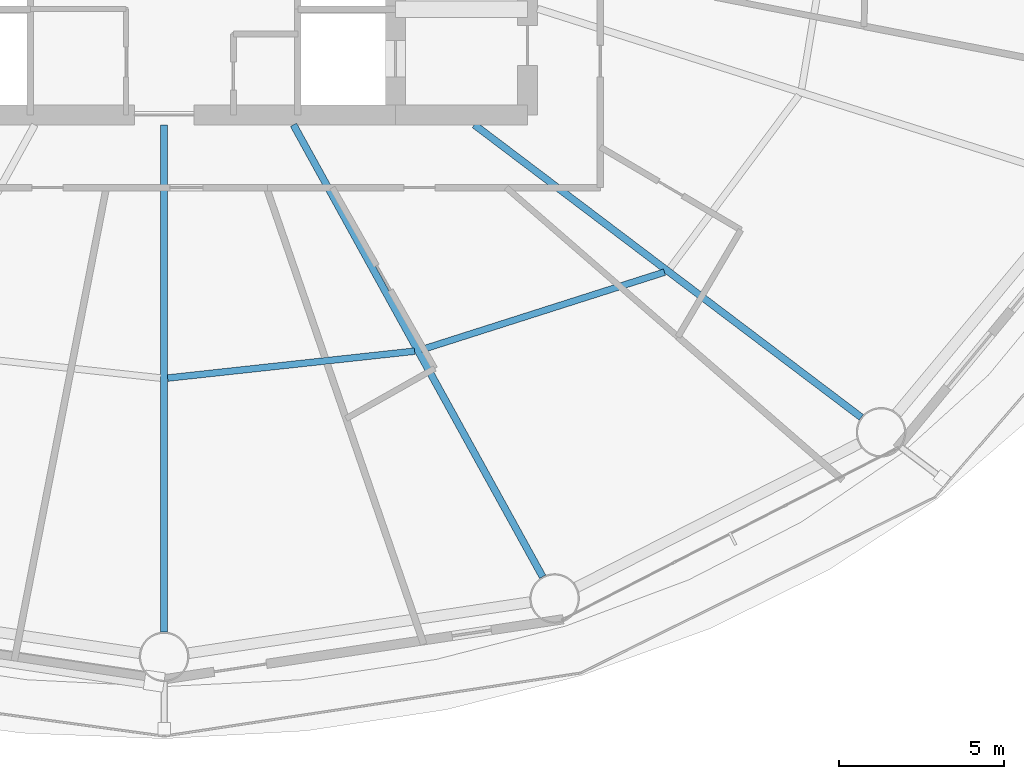
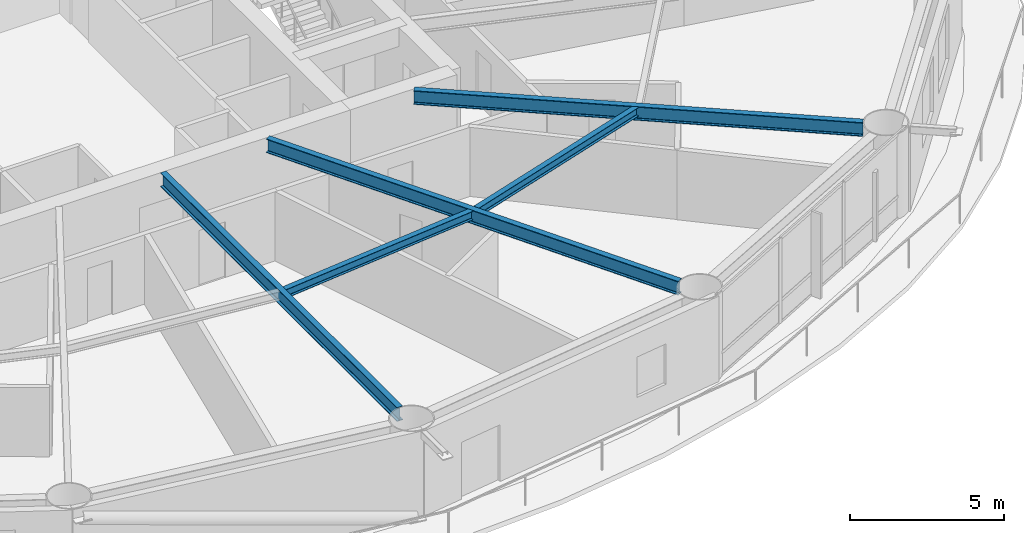
# One storey, part 7 of 26: 5 beams.
"""IFC4 building model written with IfcOpenShell, lengths in metres."""

from ifc_helpers import new_model, si_unit, direction, frame, origin, origin_2d, place, context, subcontext, project, spatial, i_section, extrude, material, material_profile, profile_set, type_object, element, save


model = new_model("IFC4")

# Units and contexts
model_context = context("Model", 3, precision=1e-05, world=origin(), true_north=direction((0.0, 1.0)))
body_context = subcontext(model_context, "Body", "Model", "MODEL_VIEW")
ifc_project = project(units=[si_unit("LENGTHUNIT", "METRE"), si_unit("AREAUNIT", "SQUARE_METRE"), si_unit("VOLUMEUNIT", "CUBIC_METRE"), si_unit("PLANEANGLEUNIT", "RADIAN"), si_unit("MASSUNIT", "GRAM", prefix="KILO")], contexts=[model_context])

# Site, building, storey
site_placement = place(None, origin())
site = spatial("IfcSite", under=ifc_project, at=site_placement, CompositionType="ELEMENT")
building_placement = place(site_placement, origin())
building = spatial("IfcBuilding", under=site, at=building_placement, Name="Sarneth Arch Tower", CompositionType="ELEMENT")
storey_placement = place(building_placement, frame((0.0, 0.0, 71.39990234375)))
storey = spatial("IfcBuildingStorey", under=building, at=storey_placement, Name="L17", CompositionType="ELEMENT", Elevation=71.39990234375)

# Beams
ifc_material_1 = material(Name="Steel S355", Category="steel")
ifc_material_profile_1 = material_profile(ifc_material_1, i_section(OverallWidth=0.202880859375, OverallDepth=0.346923828125, WebThickness=0.0078125, FlangeThickness=0.013427734375, FilletRadius=0.014892578125, at=origin_2d()), Name="W360x64")
ifc_profile_set_1 = profile_set([ifc_material_profile_1], Name="Steel S355")
beam_type_1 = type_object("IfcBeamType", Name="BM-JOIST-360C", PredefinedType="JOIST", material=ifc_profile_set_1)
beam_1_placement = place(storey_placement, frame((48.1064453125, 27.236572265625, 3.20654296875), z_axis=(0.994129966112, 0.108192469602, 0.0), x_axis=(-0.108192469602, 0.994129966112, 0.0)))
element("IfcBeam", 1, at=beam_1_placement, inside=storey, type_object=beam_type_1, Name="L17 Secondary floor joist 13", PredefinedType="JOIST", context=body_context, shape_type="SweptSolid", body=[
    extrude(i_section(OverallWidth=0.202880859375, OverallDepth=0.346923828125, WebThickness=0.0078125, FlangeThickness=0.013427734375, FilletRadius=0.014892578125, at=origin_2d()), origin(), (0.0, 0.0, 1.0), 7.5166015625),
])
beam_2_placement = place(storey_placement, frame((55.787109375, 28.093994140625, 3.20654296875), z_axis=(0.95266836992, 0.304011475036, 0.0), x_axis=(-0.304011475036, 0.95266836992, 0.0)))
element("IfcBeam", 2, at=beam_2_placement, inside=storey, type_object=beam_type_1, Name="L17 Secondary floor joist 14", PredefinedType="JOIST", context=body_context, shape_type="SweptSolid", body=[
    extrude(i_section(OverallWidth=0.202880859375, OverallDepth=0.346923828125, WebThickness=0.0078125, FlangeThickness=0.013427734375, FilletRadius=0.014892578125, at=origin_2d()), origin(), (0.0, 0.0, 1.0), 7.720703125),
])
ifc_material_2 = material(Name="Steel S355", Category="steel")
ifc_material_profile_2 = material_profile(ifc_material_2, i_section(OverallWidth=0.214111328125, OverallDepth=0.549072265625, WebThickness=0.0146484375, FlangeThickness=0.023681640625, FilletRadius=0.01806640625, at=origin_2d()), Name="W530x138")
ifc_profile_set_2 = profile_set([ifc_material_profile_2], Name="Steel S355")
beam_type_2 = type_object("IfcBeamType", Name="BM-RAD-530A", PredefinedType="BEAM", material=ifc_profile_set_2)
beam_3_placement = place(storey_placement, frame((48.0, 34.89990234375, 3.105712890625), z_axis=(0.0, -1.0, 0.0), x_axis=(1.0, 0.0, 0.0)))
element("IfcBeam", 3, at=beam_3_placement, inside=storey, type_object=beam_type_2, Name="L17 Radial floor girder 13", PredefinedType="BEAM", context=body_context, shape_type="SweptSolid", body=[
    extrude(i_section(OverallWidth=0.214111328125, OverallDepth=0.549072265625, WebThickness=0.0146484375, FlangeThickness=0.023681640625, FilletRadius=0.01806640625, at=origin_2d()), origin(), (0.0, 0.0, 1.0), 15.349853515625),
])
beam_4_placement = place(storey_placement, frame((51.91455078125, 34.89990234375, 3.105712890625), z_axis=(0.482841370957, -0.875707833979, 0.0), x_axis=(0.875707833979, 0.482841370957, 0.0)))
element("IfcBeam", 4, at=beam_4_placement, inside=storey, type_object=beam_type_2, Name="L17 Radial floor girder 14", PredefinedType="BEAM", context=body_context, shape_type="SweptSolid", body=[
    extrude(i_section(OverallWidth=0.214111328125, OverallDepth=0.549072265625, WebThickness=0.0146484375, FlangeThickness=0.023681640625, FilletRadius=0.01806640625, at=origin_2d()), origin(), (0.0, 0.0, 1.0), 15.618408203125),
])
beam_5_placement = place(storey_placement, frame((57.390380859375, 34.89990234375, 3.105712890625), z_axis=(0.79765464731, -0.603114469753, 0.0), x_axis=(0.603114469753, 0.79765464731, 0.0)))
element("IfcBeam", 5, at=beam_5_placement, inside=storey, type_object=beam_type_2, Name="L17 Radial floor girder 15", PredefinedType="BEAM", context=body_context, shape_type="SweptSolid", body=[
    extrude(i_section(OverallWidth=0.214111328125, OverallDepth=0.549072265625, WebThickness=0.0146484375, FlangeThickness=0.023681640625, FilletRadius=0.01806640625, at=origin_2d()), origin(), (0.0, 0.0, 1.0), 14.677978515625),
])

save(model, "model.ifc")
